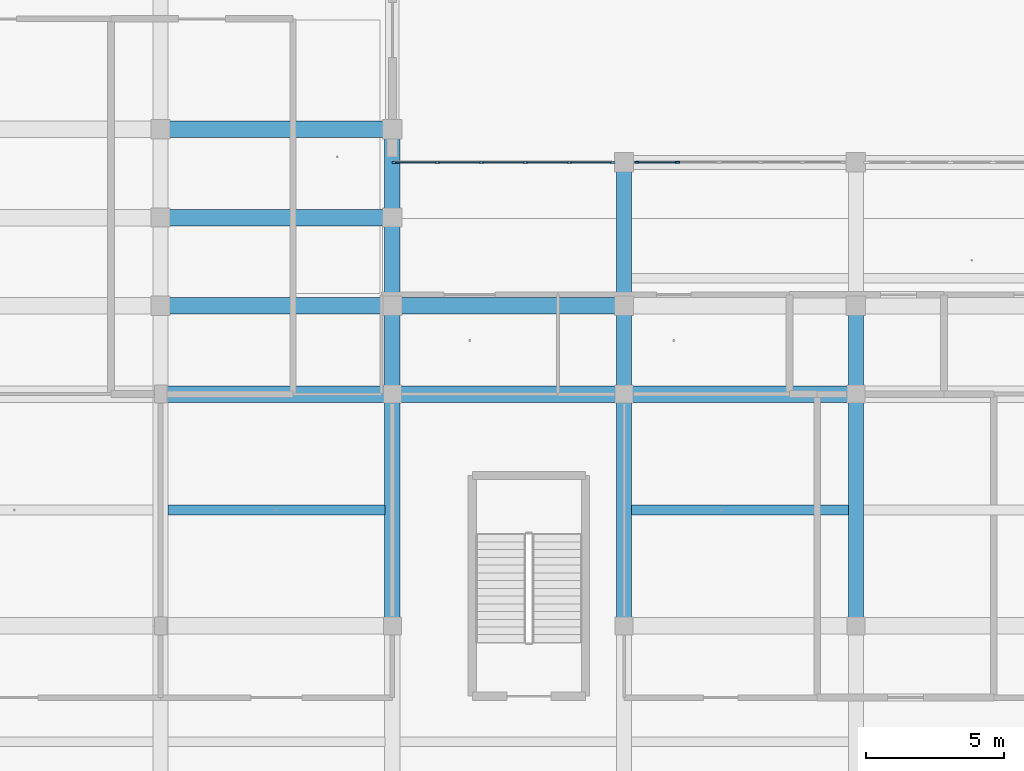
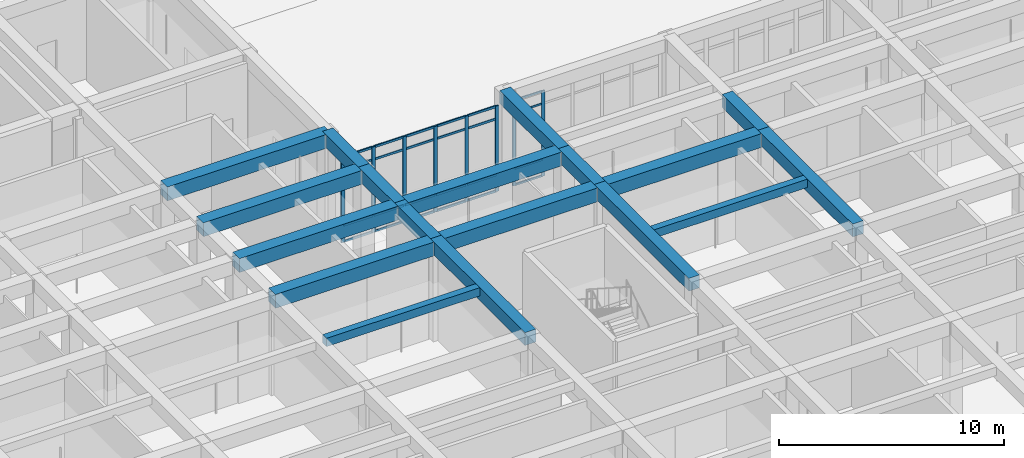
# One storey, part 33 of 167: 32 members, 18 beams, 2 elements without a shape of their own.
"""IFC4 building model written with IfcOpenShell, lengths in metres."""

from ifc_helpers import new_model, si_unit, direction, frame, origin, origin_2d, place, context, subcontext, project, spatial, rectangle, extrude, material, material_profile, profile_set, type_object, element, aggregate, save


model = new_model("IFC4")

# Units and contexts
model_context = context("Model", 3, precision=1e-05, world=origin(), true_north=direction((0.0, 1.0)))
body_context = subcontext(model_context, "Body", "Model", "MODEL_VIEW")
ifc_project = project(units=[si_unit("LENGTHUNIT", "METRE"), si_unit("AREAUNIT", "SQUARE_METRE"), si_unit("VOLUMEUNIT", "CUBIC_METRE"), si_unit("PLANEANGLEUNIT", "RADIAN"), si_unit("MASSUNIT", "GRAM", prefix="KILO")], contexts=[model_context])

# Site, building, storey
site_placement = place(None, origin())
site = spatial("IfcSite", under=ifc_project, at=site_placement, CompositionType="ELEMENT")
building_placement = place(site_placement, origin())
building = spatial("IfcBuilding", under=site, at=building_placement, Name="Varncliffe General Hospital", CompositionType="ELEMENT")
storey_placement = place(building_placement, origin())
storey = spatial("IfcBuildingStorey", under=building, at=storey_placement, Name="L00", CompositionType="ELEMENT", Elevation=0.0)

# Beams
ifc_material_1 = material(Name="Concrete C35/45 (CSA A23.1 35 MPa)", Category="concrete")
ifc_material_profile_1 = material_profile(ifc_material_1, rectangle(XDim=0.60009765625, YDim=0.75, at=origin_2d()), Name="RC 600x750")
ifc_profile_set_1 = profile_set([ifc_material_profile_1], Name="Concrete C35/45 (CSA A23.1 35 MPa)")
beam_type_1 = type_object("IfcBeamType", Name="Beam B23 (Int RC 600x750)", PredefinedType="BEAM", material=ifc_profile_set_1)
beam_1_placement = place(storey_placement, frame((58.800048828125, 99.60009765625, 5.02490234375), z_axis=(1.0, 0.0, 0.0), x_axis=(0.0, 1.0, 0.0)))
element("IfcBeam", 1, at=beam_1_placement, inside=storey, type_object=beam_type_1, Name="L00 Primary Beam B23-157", PredefinedType="BEAM", context=body_context, shape_type="SweptSolid", body=[
    extrude(rectangle(XDim=0.60009765625, YDim=0.75, at=origin_2d()), origin(), (0.0, 0.0, 1.0), 8.39990234375),
])
beam_2_placement = place(storey_placement, frame((67.199951171875, 99.60009765625, 5.02490234375), z_axis=(1.0, 0.0, 0.0), x_axis=(0.0, 1.0, 0.0)))
element("IfcBeam", 2, at=beam_2_placement, inside=storey, type_object=beam_type_1, Name="L00 Primary Beam B23-158", PredefinedType="BEAM", context=body_context, shape_type="SweptSolid", body=[
    extrude(rectangle(XDim=0.60009765625, YDim=0.75, at=origin_2d()), origin(), (0.0, 0.0, 1.0), 8.400146484375),
])
for number, where, z_axis, x_axis, name in (
    (3, (75.60009765625, 99.60009765625, 5.02490234375), (1.0, 0.0, 0.0), (0.0, 1.0, 0.0), "L00 Primary Beam B23-159"),
    (4, (58.800048828125, 102.800048828125, 5.02490234375), (1.0, 0.0, 0.0), (0.0, 1.0, 0.0), "L00 Primary Beam B23-178"),
):
    element("IfcBeam", number, at=place(storey_placement, frame(where, z_axis=z_axis, x_axis=x_axis)), inside=storey, type_object=beam_type_1, Name=name, PredefinedType="BEAM", context=body_context, shape_type="SweptSolid", body=[
        extrude(rectangle(XDim=0.60009765625, YDim=0.75, at=origin_2d()), origin(), (0.0, 0.0, 1.0), 8.39990234375),
    ])
beam_3_placement = place(storey_placement, frame((67.199951171875, 102.800048828125, 5.02490234375), z_axis=(1.0, 0.0, 0.0), x_axis=(0.0, 1.0, 0.0)))
element("IfcBeam", 5, at=beam_3_placement, inside=storey, type_object=beam_type_1, Name="L00 Primary Beam B23-179", PredefinedType="BEAM", context=body_context, shape_type="SweptSolid", body=[
    extrude(rectangle(XDim=0.60009765625, YDim=0.75, at=origin_2d()), origin(), (0.0, 0.0, 1.0), 8.400146484375),
])
for number, where, z_axis, x_axis, name in (
    (6, (58.800048828125, 106.0, 5.02490234375), (1.0, 0.0, 0.0), (0.0, 1.0, 0.0), "L00 Primary Beam B23-199"),
    (7, (58.800048828125, 109.199951171875, 5.02490234375), (1.0, 0.0, 0.0), (0.0, 1.0, 0.0), "L00 Primary Beam B23-218"),
):
    element("IfcBeam", number, at=place(storey_placement, frame(where, z_axis=z_axis, x_axis=x_axis)), inside=storey, type_object=beam_type_1, Name=name, PredefinedType="BEAM", context=body_context, shape_type="SweptSolid", body=[
        extrude(rectangle(XDim=0.60009765625, YDim=0.75, at=origin_2d()), origin(), (0.0, 0.0, 1.0), 8.39990234375),
    ])
ifc_material_profile_2 = material_profile(ifc_material_1, rectangle(XDim=0.550048828125, YDim=0.699951171875, at=origin_2d()), Name="RC 550x700")
ifc_profile_set_2 = profile_set([ifc_material_profile_2], Name="Concrete C35/45 (CSA A23.1 35 MPa)")
beam_type_2 = type_object("IfcBeamType", Name="Beam B35 (Int RC 550x700)", PredefinedType="BEAM", material=ifc_profile_set_2)
beam_4_placement = place(storey_placement, frame((67.199951171875, 91.199951171875, 5.050048828125), z_axis=(0.0, 1.0, 0.0), x_axis=(-1.0, 0.0, 0.0)))
element("IfcBeam", 8, at=beam_4_placement, inside=storey, type_object=beam_type_2, Name="L00 Primary Beam B35-372", PredefinedType="BEAM", context=body_context, shape_type="SweptSolid", body=[
    extrude(rectangle(XDim=0.550048828125, YDim=0.699951171875, at=origin_2d()), origin(), (0.0, 0.0, 1.0), 8.400146484375),
])
for number, where, z_axis, x_axis, name in (
    (9, (67.199951171875, 99.60009765625, 5.050048828125), (0.0, 1.0, 0.0), (-1.0, 0.0, 0.0), "L00 Primary Beam B35-373"),
    (10, (67.199951171875, 102.800048828125, 5.050048828125), (0.0, 1.0, 0.0), (-1.0, 0.0, 0.0), "L00 Primary Beam B35-374"),
    (11, (67.199951171875, 106.0, 5.050048828125), (0.0, 1.0, 0.0), (-1.0, 0.0, 0.0), "L00 Primary Beam B35-375"),
):
    element("IfcBeam", number, at=place(storey_placement, frame(where, z_axis=z_axis, x_axis=x_axis)), inside=storey, type_object=beam_type_2, Name=name, PredefinedType="BEAM", context=body_context, shape_type="SweptSolid", body=[
        extrude(rectangle(XDim=0.550048828125, YDim=0.699951171875, at=origin_2d()), origin(), (0.0, 0.0, 1.0), 3.199951171875),
    ])
beam_5_placement = place(storey_placement, frame((75.60009765625, 91.199951171875, 5.050048828125), z_axis=(0.0, 1.0, 0.0), x_axis=(-1.0, 0.0, 0.0)))
element("IfcBeam", 12, at=beam_5_placement, inside=storey, type_object=beam_type_2, Name="L00 Primary Beam B35-382", PredefinedType="BEAM", context=body_context, shape_type="SweptSolid", body=[
    extrude(rectangle(XDim=0.550048828125, YDim=0.699951171875, at=origin_2d()), origin(), (0.0, 0.0, 1.0), 8.400146484375),
])
beam_6_placement = place(storey_placement, frame((75.60009765625, 99.60009765625, 5.050048828125), z_axis=(0.0, 1.0, 0.0), x_axis=(-1.0, 0.0, 0.0)))
element("IfcBeam", 13, at=beam_6_placement, inside=storey, type_object=beam_type_2, Name="L00 Primary Beam B35-383", PredefinedType="BEAM", context=body_context, shape_type="SweptSolid", body=[
    extrude(rectangle(XDim=0.550048828125, YDim=0.699951171875, at=origin_2d()), origin(), (0.0, 0.0, 1.0), 3.199951171875),
])
beam_7_placement = place(storey_placement, frame((75.60009765625, 102.800048828125, 5.050048828125), z_axis=(0.0, 1.0, 0.0), x_axis=(-1.0, 0.0, 0.0)))
element("IfcBeam", 14, at=beam_7_placement, inside=storey, type_object=beam_type_2, Name="L00 Primary Beam B35-384", PredefinedType="BEAM", context=body_context, shape_type="SweptSolid", body=[
    extrude(rectangle(XDim=0.550048828125, YDim=0.699951171875, at=origin_2d()), origin(), (0.0, 0.0, 1.0), 5.199951171875),
])
beam_8_placement = place(storey_placement, frame((84.0, 91.199951171875, 5.050048828125), z_axis=(0.0, 1.0, 0.0), x_axis=(-1.0, 0.0, 0.0)))
element("IfcBeam", 15, at=beam_8_placement, inside=storey, type_object=beam_type_2, Name="L00 Primary Beam B35-389", PredefinedType="BEAM", context=body_context, shape_type="SweptSolid", body=[
    extrude(rectangle(XDim=0.550048828125, YDim=0.699951171875, at=origin_2d()), origin(), (0.0, 0.0, 1.0), 8.400146484375),
])
beam_9_placement = place(storey_placement, frame((84.0, 99.60009765625, 5.050048828125), z_axis=(0.0, 1.0, 0.0), x_axis=(-1.0, 0.0, 0.0)))
element("IfcBeam", 16, at=beam_9_placement, inside=storey, type_object=beam_type_2, Name="L00 Primary Beam B35-390", PredefinedType="BEAM", context=body_context, shape_type="SweptSolid", body=[
    extrude(rectangle(XDim=0.550048828125, YDim=0.699951171875, at=origin_2d()), origin(), (0.0, 0.0, 1.0), 3.199951171875),
])

# Curtain wall, members
ifc_material_2 = material(Name="Triple low-E argon insulated vision glazing", Category="glass")
curtain_wall_type_1 = type_object("IfcCurtainWallType", Name="Unitised Glazed Curtain Wall CW48 (7972x4640)", PredefinedType="USERDEFINED", material=ifc_material_2)
curtain_wall_1_placement = place(storey_placement, origin())
curtain_wall_1 = element("IfcCurtainWall", 17, at=curtain_wall_1_placement, inside=storey, type_object=curtain_wall_type_1, Name="L00 Glazed Curtain Wall CW48-1", ObjectType="GLAZED CURTAIN WALL", PredefinedType="USERDEFINED")
ifc_material_3 = material(Name="Dark bronze thermally broken aluminium framing", Category="aluminium")
ifc_material_profile_3 = material_profile(ifc_material_3, rectangle(XDim=0.074951171875, YDim=0.179931640625, at=origin_2d()), Name="ALU 75x180")
ifc_profile_set_3 = profile_set([ifc_material_profile_3], Name="Dark bronze thermally broken aluminium framing")
member_type_1 = type_object("IfcMemberType", Name="Curtain Wall Mullion CM44 (ALU 75x180)", PredefinedType="MULLION", material=ifc_profile_set_3)
member_1_placement = place(storey_placement, frame((67.277587890625, 108.0, 0.0), z_axis=(0.0, 0.0, 1.0), x_axis=(0.0, 1.0, 0.0)))
member_1 = element("IfcMember", 18, at=member_1_placement, type_object=member_type_1, Name="CW48 mullion 1", PredefinedType="MULLION", context=body_context, shape_type="SweptSolid", body=[
    extrude(rectangle(XDim=0.074951171875, YDim=0.179931640625, at=origin_2d()), origin(), (0.0, 0.0, 1.0), 4.639892578125),
])
member_2_placement = place(storey_placement, frame((68.83447265625, 108.0, 0.0), z_axis=(0.0, 0.0, 1.0), x_axis=(0.0, 1.0, 0.0)))
member_2 = element("IfcMember", 19, at=member_2_placement, type_object=member_type_1, Name="CW48 mullion 2", PredefinedType="MULLION", context=body_context, shape_type="SweptSolid", body=[
    extrude(rectangle(XDim=0.074951171875, YDim=0.179931640625, at=origin_2d()), origin(), (0.0, 0.0, 1.0), 4.639892578125),
])
member_3_placement = place(storey_placement, frame((70.4287109375, 108.0, 0.0), z_axis=(0.0, 0.0, 1.0), x_axis=(0.0, 1.0, 0.0)))
member_3 = element("IfcMember", 20, at=member_3_placement, type_object=member_type_1, Name="CW48 mullion 3", PredefinedType="MULLION", context=body_context, shape_type="SweptSolid", body=[
    extrude(rectangle(XDim=0.074951171875, YDim=0.179931640625, at=origin_2d()), origin(), (0.0, 0.0, 1.0), 4.639892578125),
])
member_4_placement = place(storey_placement, frame((72.023193359375, 108.0, 0.0), z_axis=(0.0, 0.0, 1.0), x_axis=(0.0, 1.0, 0.0)))
member_4 = element("IfcMember", 21, at=member_4_placement, type_object=member_type_1, Name="CW48 mullion 4", PredefinedType="MULLION", context=body_context, shape_type="SweptSolid", body=[
    extrude(rectangle(XDim=0.074951171875, YDim=0.179931640625, at=origin_2d()), origin(), (0.0, 0.0, 1.0), 4.639892578125),
])
member_5_placement = place(storey_placement, frame((73.61767578125, 108.0, 0.0), z_axis=(0.0, 0.0, 1.0), x_axis=(0.0, 1.0, 0.0)))
member_5 = element("IfcMember", 22, at=member_5_placement, type_object=member_type_1, Name="CW48 mullion 5", PredefinedType="MULLION", context=body_context, shape_type="SweptSolid", body=[
    extrude(rectangle(XDim=0.074951171875, YDim=0.179931640625, at=origin_2d()), origin(), (0.0, 0.0, 1.0), 4.639892578125),
])
member_6_placement = place(storey_placement, frame((75.174560546875, 108.0, 0.0), z_axis=(0.0, 0.0, 1.0), x_axis=(0.0, 1.0, 0.0)))
member_6 = element("IfcMember", 23, at=member_6_placement, type_object=member_type_1, Name="CW48 mullion 6", PredefinedType="MULLION", context=body_context, shape_type="SweptSolid", body=[
    extrude(rectangle(XDim=0.074951171875, YDim=0.179931640625, at=origin_2d()), origin(), (0.0, 0.0, 1.0), 4.639892578125),
])

curtain_wall_type_2 = type_object("IfcCurtainWallType", Name="Unitised Glazed Curtain Wall CW47 (7544x4640)", PredefinedType="USERDEFINED", material=ifc_material_2)
curtain_wall_2_placement = place(storey_placement, origin())
curtain_wall_2 = element("IfcCurtainWall", 24, at=curtain_wall_2_placement, inside=storey, type_object=curtain_wall_type_2, Name="L00 Glazed Curtain Wall CW47-2", ObjectType="GLAZED CURTAIN WALL", PredefinedType="USERDEFINED")
ifc_material_profile_4 = material_profile(ifc_material_3, rectangle(XDim=0.06494140625, YDim=0.159912109375, at=origin_2d()), Name="ALU 65x160")
ifc_profile_set_4 = profile_set([ifc_material_profile_4], Name="Dark bronze thermally broken aluminium framing")
member_type_2 = type_object("IfcMemberType", Name="Curtain Wall Mullion CM65 (ALU 65x160)", PredefinedType="MULLION", material=ifc_profile_set_4)
member_7_placement = place(storey_placement, frame((76.060546875, 108.0, 0.0), z_axis=(0.0, 0.0, 1.0), x_axis=(0.0, 1.0, 0.0)))
member_7 = element("IfcMember", 25, at=member_7_placement, type_object=member_type_2, Name="CW47 mullion 1", PredefinedType="MULLION", context=body_context, shape_type="SweptSolid", body=[
    extrude(rectangle(XDim=0.06494140625, YDim=0.159912109375, at=origin_2d()), origin(), (0.0, 0.0, 1.0), 4.639892578125),
])
member_8_placement = place(storey_placement, frame((77.536865234375, 108.0, 0.0), z_axis=(0.0, 0.0, 1.0), x_axis=(0.0, 1.0, 0.0)))
member_8 = element("IfcMember", 26, at=member_8_placement, type_object=member_type_2, Name="CW47 mullion 2", PredefinedType="MULLION", context=body_context, shape_type="SweptSolid", body=[
    extrude(rectangle(XDim=0.06494140625, YDim=0.159912109375, at=origin_2d()), origin(), (0.0, 0.0, 1.0), 4.639892578125),
])

# Member
ifc_material_profile_5 = material_profile(ifc_material_3, rectangle(XDim=0.06005859375, YDim=0.1201171875, at=origin_2d()), Name="ALU 60x120")
ifc_profile_set_5 = profile_set([ifc_material_profile_5], Name="Dark bronze thermally broken aluminium framing")
member_type_3 = type_object("IfcMemberType", Name="Curtain Wall Transom CT14 (ALU 60x120)", PredefinedType="USERDEFINED", material=ifc_profile_set_5)
member_9_placement = place(storey_placement, frame((67.31494140625, 108.0, 0.030029296875), z_axis=(1.0, 0.0, 0.0), x_axis=(0.0, 1.0, 0.0)))
member_9 = element("IfcMember", 27, at=member_9_placement, type_object=member_type_3, Name="CW48 transom 1.1", ObjectType="TRANSOM", PredefinedType="USERDEFINED", context=body_context, shape_type="SweptSolid", body=[
    extrude(rectangle(XDim=0.06005859375, YDim=0.1201171875, at=origin_2d()), origin(), (0.0, 0.0, 1.0), 1.48193359375),
])

member_10_placement = place(storey_placement, frame((67.31494140625, 108.0, 0.89990234375), z_axis=(1.0, 0.0, 0.0), x_axis=(0.0, 1.0, 0.0)))
member_10 = element("IfcMember", 28, at=member_10_placement, type_object=member_type_3, Name="CW48 transom 1.2", ObjectType="TRANSOM", PredefinedType="USERDEFINED", context=body_context, shape_type="SweptSolid", body=[
    extrude(rectangle(XDim=0.06005859375, YDim=0.1201171875, at=origin_2d()), origin(), (0.0, 0.0, 1.0), 1.48193359375),
])

member_11_placement = place(storey_placement, frame((67.31494140625, 108.0, 3.93994140625), z_axis=(1.0, 0.0, 0.0), x_axis=(0.0, 1.0, 0.0)))
member_11 = element("IfcMember", 29, at=member_11_placement, type_object=member_type_3, Name="CW48 transom 1.3", ObjectType="TRANSOM", PredefinedType="USERDEFINED", context=body_context, shape_type="SweptSolid", body=[
    extrude(rectangle(XDim=0.06005859375, YDim=0.1201171875, at=origin_2d()), origin(), (0.0, 0.0, 1.0), 1.48193359375),
])

member_12_placement = place(storey_placement, frame((67.31494140625, 108.0, 4.610107421875), z_axis=(1.0, 0.0, 0.0), x_axis=(0.0, 1.0, 0.0)))
member_12 = element("IfcMember", 30, at=member_12_placement, type_object=member_type_3, Name="CW48 transom 1.4", ObjectType="TRANSOM", PredefinedType="USERDEFINED", context=body_context, shape_type="SweptSolid", body=[
    extrude(rectangle(XDim=0.06005859375, YDim=0.1201171875, at=origin_2d()), origin(), (0.0, 0.0, 1.0), 1.48193359375),
])

member_13_placement = place(storey_placement, frame((68.871826171875, 108.0, 0.030029296875), z_axis=(1.0, 0.0, 0.0), x_axis=(0.0, 1.0, 0.0)))
member_13 = element("IfcMember", 31, at=member_13_placement, type_object=member_type_3, Name="CW48 transom 2.1", ObjectType="TRANSOM", PredefinedType="USERDEFINED", context=body_context, shape_type="SweptSolid", body=[
    extrude(rectangle(XDim=0.06005859375, YDim=0.1201171875, at=origin_2d()), origin(), (0.0, 0.0, 1.0), 1.51953125),
])

member_14_placement = place(storey_placement, frame((68.871826171875, 108.0, 0.89990234375), z_axis=(1.0, 0.0, 0.0), x_axis=(0.0, 1.0, 0.0)))
member_14 = element("IfcMember", 32, at=member_14_placement, type_object=member_type_3, Name="CW48 transom 2.2", ObjectType="TRANSOM", PredefinedType="USERDEFINED", context=body_context, shape_type="SweptSolid", body=[
    extrude(rectangle(XDim=0.06005859375, YDim=0.1201171875, at=origin_2d()), origin(), (0.0, 0.0, 1.0), 1.51953125),
])

member_15_placement = place(storey_placement, frame((68.871826171875, 108.0, 3.93994140625), z_axis=(1.0, 0.0, 0.0), x_axis=(0.0, 1.0, 0.0)))
member_15 = element("IfcMember", 33, at=member_15_placement, type_object=member_type_3, Name="CW48 transom 2.3", ObjectType="TRANSOM", PredefinedType="USERDEFINED", context=body_context, shape_type="SweptSolid", body=[
    extrude(rectangle(XDim=0.06005859375, YDim=0.1201171875, at=origin_2d()), origin(), (0.0, 0.0, 1.0), 1.51953125),
])

member_16_placement = place(storey_placement, frame((68.871826171875, 108.0, 4.610107421875), z_axis=(1.0, 0.0, 0.0), x_axis=(0.0, 1.0, 0.0)))
member_16 = element("IfcMember", 34, at=member_16_placement, type_object=member_type_3, Name="CW48 transom 2.4", ObjectType="TRANSOM", PredefinedType="USERDEFINED", context=body_context, shape_type="SweptSolid", body=[
    extrude(rectangle(XDim=0.06005859375, YDim=0.1201171875, at=origin_2d()), origin(), (0.0, 0.0, 1.0), 1.51953125),
])

member_17_placement = place(storey_placement, frame((70.46630859375, 108.0, 0.030029296875), z_axis=(1.0, 0.0, 0.0), x_axis=(0.0, 1.0, 0.0)))
member_17 = element("IfcMember", 35, at=member_17_placement, type_object=member_type_3, Name="CW48 transom 3.1", ObjectType="TRANSOM", PredefinedType="USERDEFINED", context=body_context, shape_type="SweptSolid", body=[
    extrude(rectangle(XDim=0.06005859375, YDim=0.1201171875, at=origin_2d()), origin(), (0.0, 0.0, 1.0), 1.519287109375),
])

member_18_placement = place(storey_placement, frame((70.46630859375, 108.0, 0.89990234375), z_axis=(1.0, 0.0, 0.0), x_axis=(0.0, 1.0, 0.0)))
member_18 = element("IfcMember", 36, at=member_18_placement, type_object=member_type_3, Name="CW48 transom 3.2", ObjectType="TRANSOM", PredefinedType="USERDEFINED", context=body_context, shape_type="SweptSolid", body=[
    extrude(rectangle(XDim=0.06005859375, YDim=0.1201171875, at=origin_2d()), origin(), (0.0, 0.0, 1.0), 1.519287109375),
])

member_19_placement = place(storey_placement, frame((70.46630859375, 108.0, 3.93994140625), z_axis=(1.0, 0.0, 0.0), x_axis=(0.0, 1.0, 0.0)))
member_19 = element("IfcMember", 37, at=member_19_placement, type_object=member_type_3, Name="CW48 transom 3.3", ObjectType="TRANSOM", PredefinedType="USERDEFINED", context=body_context, shape_type="SweptSolid", body=[
    extrude(rectangle(XDim=0.06005859375, YDim=0.1201171875, at=origin_2d()), origin(), (0.0, 0.0, 1.0), 1.519287109375),
])

member_20_placement = place(storey_placement, frame((70.46630859375, 108.0, 4.610107421875), z_axis=(1.0, 0.0, 0.0), x_axis=(0.0, 1.0, 0.0)))
member_20 = element("IfcMember", 38, at=member_20_placement, type_object=member_type_3, Name="CW48 transom 3.4", ObjectType="TRANSOM", PredefinedType="USERDEFINED", context=body_context, shape_type="SweptSolid", body=[
    extrude(rectangle(XDim=0.06005859375, YDim=0.1201171875, at=origin_2d()), origin(), (0.0, 0.0, 1.0), 1.519287109375),
])

member_21_placement = place(storey_placement, frame((72.060791015625, 108.0, 0.030029296875), z_axis=(1.0, 0.0, 0.0), x_axis=(0.0, 1.0, 0.0)))
member_21 = element("IfcMember", 39, at=member_21_placement, type_object=member_type_3, Name="CW48 transom 4.1", ObjectType="TRANSOM", PredefinedType="USERDEFINED", context=body_context, shape_type="SweptSolid", body=[
    extrude(rectangle(XDim=0.06005859375, YDim=0.1201171875, at=origin_2d()), origin(), (0.0, 0.0, 1.0), 1.519287109375),
])

member_22_placement = place(storey_placement, frame((72.060791015625, 108.0, 0.89990234375), z_axis=(1.0, 0.0, 0.0), x_axis=(0.0, 1.0, 0.0)))
member_22 = element("IfcMember", 40, at=member_22_placement, type_object=member_type_3, Name="CW48 transom 4.2", ObjectType="TRANSOM", PredefinedType="USERDEFINED", context=body_context, shape_type="SweptSolid", body=[
    extrude(rectangle(XDim=0.06005859375, YDim=0.1201171875, at=origin_2d()), origin(), (0.0, 0.0, 1.0), 1.519287109375),
])

member_23_placement = place(storey_placement, frame((72.060791015625, 108.0, 3.93994140625), z_axis=(1.0, 0.0, 0.0), x_axis=(0.0, 1.0, 0.0)))
member_23 = element("IfcMember", 41, at=member_23_placement, type_object=member_type_3, Name="CW48 transom 4.3", ObjectType="TRANSOM", PredefinedType="USERDEFINED", context=body_context, shape_type="SweptSolid", body=[
    extrude(rectangle(XDim=0.06005859375, YDim=0.1201171875, at=origin_2d()), origin(), (0.0, 0.0, 1.0), 1.519287109375),
])

member_24_placement = place(storey_placement, frame((72.060791015625, 108.0, 4.610107421875), z_axis=(1.0, 0.0, 0.0), x_axis=(0.0, 1.0, 0.0)))
member_24 = element("IfcMember", 42, at=member_24_placement, type_object=member_type_3, Name="CW48 transom 4.4", ObjectType="TRANSOM", PredefinedType="USERDEFINED", context=body_context, shape_type="SweptSolid", body=[
    extrude(rectangle(XDim=0.06005859375, YDim=0.1201171875, at=origin_2d()), origin(), (0.0, 0.0, 1.0), 1.519287109375),
])

member_25_placement = place(storey_placement, frame((73.655029296875, 108.0, 0.030029296875), z_axis=(1.0, 0.0, 0.0), x_axis=(0.0, 1.0, 0.0)))
member_25 = element("IfcMember", 43, at=member_25_placement, type_object=member_type_3, Name="CW48 transom 5.1", ObjectType="TRANSOM", PredefinedType="USERDEFINED", context=body_context, shape_type="SweptSolid", body=[
    extrude(rectangle(XDim=0.06005859375, YDim=0.1201171875, at=origin_2d()), origin(), (0.0, 0.0, 1.0), 1.48193359375),
])

member_26_placement = place(storey_placement, frame((73.655029296875, 108.0, 0.89990234375), z_axis=(1.0, 0.0, 0.0), x_axis=(0.0, 1.0, 0.0)))
member_26 = element("IfcMember", 44, at=member_26_placement, type_object=member_type_3, Name="CW48 transom 5.2", ObjectType="TRANSOM", PredefinedType="USERDEFINED", context=body_context, shape_type="SweptSolid", body=[
    extrude(rectangle(XDim=0.06005859375, YDim=0.1201171875, at=origin_2d()), origin(), (0.0, 0.0, 1.0), 1.48193359375),
])

member_27_placement = place(storey_placement, frame((73.655029296875, 108.0, 3.93994140625), z_axis=(1.0, 0.0, 0.0), x_axis=(0.0, 1.0, 0.0)))
member_27 = element("IfcMember", 45, at=member_27_placement, type_object=member_type_3, Name="CW48 transom 5.3", ObjectType="TRANSOM", PredefinedType="USERDEFINED", context=body_context, shape_type="SweptSolid", body=[
    extrude(rectangle(XDim=0.06005859375, YDim=0.1201171875, at=origin_2d()), origin(), (0.0, 0.0, 1.0), 1.48193359375),
])

member_28_placement = place(storey_placement, frame((73.655029296875, 108.0, 4.610107421875), z_axis=(1.0, 0.0, 0.0), x_axis=(0.0, 1.0, 0.0)))
member_28 = element("IfcMember", 46, at=member_28_placement, type_object=member_type_3, Name="CW48 transom 5.4", ObjectType="TRANSOM", PredefinedType="USERDEFINED", context=body_context, shape_type="SweptSolid", body=[
    extrude(rectangle(XDim=0.06005859375, YDim=0.1201171875, at=origin_2d()), origin(), (0.0, 0.0, 1.0), 1.48193359375),
])

aggregate(curtain_wall_1, [member_1, member_2, member_3, member_4, member_5, member_6, member_9, member_10, member_11, member_12, member_13, member_14, member_15, member_16, member_17, member_18, member_19, member_20, member_21, member_22, member_23, member_24, member_25, member_26, member_27, member_28])

ifc_material_profile_6 = material_profile(ifc_material_3, rectangle(XDim=0.06005859375, YDim=0.10009765625, at=origin_2d()), Name="ALU 60x100")
ifc_profile_set_6 = profile_set([ifc_material_profile_6], Name="Dark bronze thermally broken aluminium framing")
member_type_4 = type_object("IfcMemberType", Name="Curtain Wall Transom CT18 (ALU 60x100)", PredefinedType="USERDEFINED", material=ifc_profile_set_6)
member_29_placement = place(storey_placement, frame((76.093017578125, 108.0, 0.030029296875), z_axis=(1.0, 0.0, 0.0), x_axis=(0.0, 1.0, 0.0)))
member_29 = element("IfcMember", 47, at=member_29_placement, type_object=member_type_4, Name="CW47 transom 1.1", ObjectType="TRANSOM", PredefinedType="USERDEFINED", context=body_context, shape_type="SweptSolid", body=[
    extrude(rectangle(XDim=0.06005859375, YDim=0.10009765625, at=origin_2d()), origin(), (0.0, 0.0, 1.0), 1.411376953125),
])

member_30_placement = place(storey_placement, frame((76.093017578125, 108.0, 0.89990234375), z_axis=(1.0, 0.0, 0.0), x_axis=(0.0, 1.0, 0.0)))
member_30 = element("IfcMember", 48, at=member_30_placement, type_object=member_type_4, Name="CW47 transom 1.2", ObjectType="TRANSOM", PredefinedType="USERDEFINED", context=body_context, shape_type="SweptSolid", body=[
    extrude(rectangle(XDim=0.06005859375, YDim=0.10009765625, at=origin_2d()), origin(), (0.0, 0.0, 1.0), 1.411376953125),
])

member_31_placement = place(storey_placement, frame((76.093017578125, 108.0, 3.93994140625), z_axis=(1.0, 0.0, 0.0), x_axis=(0.0, 1.0, 0.0)))
member_31 = element("IfcMember", 49, at=member_31_placement, type_object=member_type_4, Name="CW47 transom 1.3", ObjectType="TRANSOM", PredefinedType="USERDEFINED", context=body_context, shape_type="SweptSolid", body=[
    extrude(rectangle(XDim=0.06005859375, YDim=0.10009765625, at=origin_2d()), origin(), (0.0, 0.0, 1.0), 1.411376953125),
])

member_32_placement = place(storey_placement, frame((76.093017578125, 108.0, 4.610107421875), z_axis=(1.0, 0.0, 0.0), x_axis=(0.0, 1.0, 0.0)))
member_32 = element("IfcMember", 50, at=member_32_placement, type_object=member_type_4, Name="CW47 transom 1.4", ObjectType="TRANSOM", PredefinedType="USERDEFINED", context=body_context, shape_type="SweptSolid", body=[
    extrude(rectangle(XDim=0.06005859375, YDim=0.10009765625, at=origin_2d()), origin(), (0.0, 0.0, 1.0), 1.411376953125),
])

aggregate(curtain_wall_2, [member_7, member_8, member_29, member_30, member_31, member_32])

# Beams
ifc_material_profile_7 = material_profile(ifc_material_1, rectangle(XDim=0.35009765625, YDim=0.449951171875, at=origin_2d()), Name="RC 350x450")
ifc_profile_set_7 = profile_set([ifc_material_profile_7], Name="Concrete C35/45 (CSA A23.1 35 MPa)")
beam_type_3 = type_object("IfcBeamType", Name="Joist J55 (Int RC 350x450)", PredefinedType="JOIST", material=ifc_profile_set_7)
for number, where, z_axis, x_axis, name in (
    (51, (59.072998046875, 95.39990234375, 5.175048828125), (1.0, 0.0, 0.0), (0.0, 1.0, 0.0), "L00 Secondary Floor Rib J55-30"),
    (52, (75.873046875, 95.39990234375, 5.175048828125), (1.0, 0.0, 0.0), (0.0, 1.0, 0.0), "L00 Secondary Floor Rib J55-38"),
):
    element("IfcBeam", number, at=place(storey_placement, frame(where, z_axis=z_axis, x_axis=x_axis)), inside=storey, type_object=beam_type_3, Name=name, PredefinedType="JOIST", context=body_context, shape_type="SweptSolid", body=[
        extrude(rectangle(XDim=0.35009765625, YDim=0.449951171875, at=origin_2d()), origin(), (0.0, 0.0, 1.0), 7.85400390625),
    ])

save(model, "model.ifc")
